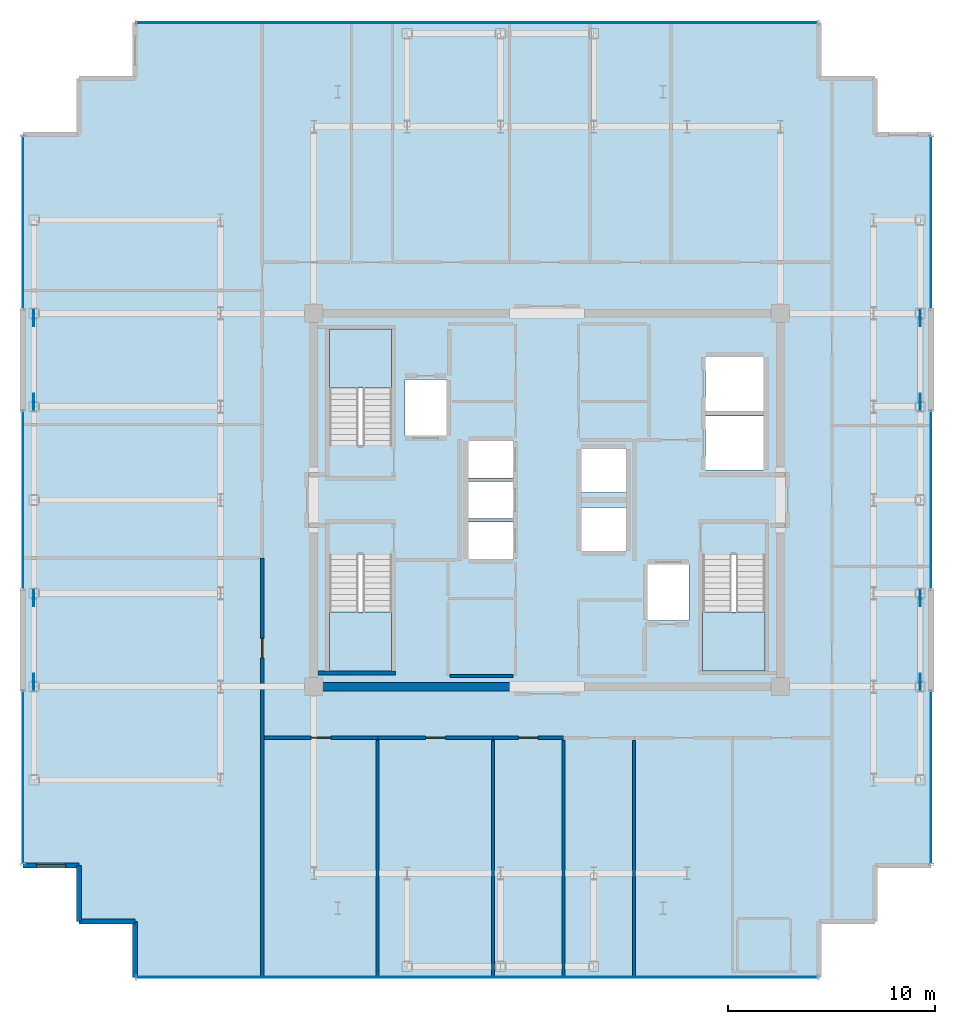
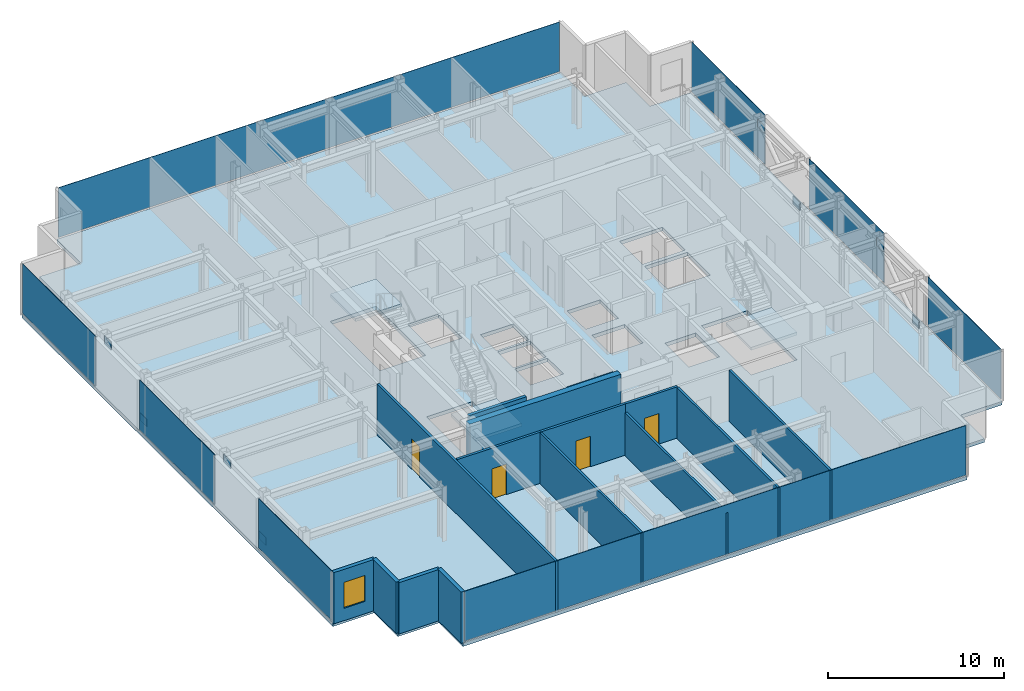
# One storey, part 10 of 16: 16 plates, 15 walls, 4 doors, 4 slabs, 1 window, 5 openings, 11 elements without a shape of their own.
"""IFC4 building model written with IfcOpenShell, lengths in metres."""

from ifc_helpers import new_model, si_unit, direction, frame, frame_2d, origin, origin_2d, place, context, subcontext, project, spatial, polyline, rectangle, outline, extrude, source, transform, mapped, material, layer, layer_set, type_object, element, fill, aggregate, save


model = new_model("IFC4")

# Units and contexts
model_context = context("Model", 3, precision=1e-05, world=origin(), true_north=direction((0.0, 1.0)))
body_context = subcontext(model_context, "Body", "Model", "MODEL_VIEW")
ifc_project = project(units=[si_unit("LENGTHUNIT", "METRE"), si_unit("AREAUNIT", "SQUARE_METRE"), si_unit("VOLUMEUNIT", "CUBIC_METRE"), si_unit("PLANEANGLEUNIT", "RADIAN"), si_unit("MASSUNIT", "GRAM", prefix="KILO")], contexts=[model_context])

# Site, building, storey
site_placement = place(None, origin())
site = spatial("IfcSite", under=ifc_project, at=site_placement, CompositionType="ELEMENT")
building_placement = place(site_placement, origin())
building = spatial("IfcBuilding", under=site, at=building_placement, Name="Nefas-Gora Pilgrimage Tower", CompositionType="ELEMENT")
storey_placement = place(building_placement, frame((0.0, 0.0, 333.800048828125)))
storey = spatial("IfcBuildingStorey", under=building, at=storey_placement, Name="L84", CompositionType="ELEMENT", Elevation=333.800048828125)

# Slab
ifc_material_1 = material(Name="Concrete C40/50", Category="concrete")
ifc_layer_1 = layer(ifc_material_1, 0.25)
ifc_layer_set_1 = layer_set([ifc_layer_1], Name="Concrete C40/50")
slab_type_1 = type_object("IfcSlabType", Name="SLB-TWR-260", PredefinedType="FLOOR", material=ifc_layer_set_1)
slab_1_placement = place(storey_placement, frame((0.0, 0.0, -0.25)))
element("IfcSlab", 1, at=slab_1_placement, inside=storey, type_object=slab_type_1, Name="L84 Structural Floor Slab", PredefinedType="FLOOR", context=body_context, shape_type="SweptSolid", body=[
    extrude(outline(polyline([(18.52001953125, 17.6201171875), (15.820068359375, 17.6201171875), (15.820068359375, 20.320068359375), (13.1201171875, 20.320068359375), (13.1201171875, 23.02001953125), (-19.8701171875, 23.02001953125), (-19.8701171875, 20.320068359375), (-22.570068359375, 20.320068359375), (-22.570068359375, 17.6201171875), (-25.27001953125, 17.6201171875), (-25.27001953125, -17.6201171875), (-22.570068359375, -17.6201171875), (-22.570068359375, -20.320068359375), (-19.8701171875, -20.320068359375), (-19.8701171875, -23.02001953125), (13.1201171875, -23.02001953125), (13.1201171875, -20.320068359375), (15.820068359375, -20.320068359375), (15.820068359375, -17.6201171875), (18.52001953125, -17.6201171875), (18.52001953125, 17.6201171875)]), holes=[polyline([(-10.5, 2.639892578125), (-10.5, 8.25), (-7.5, 8.25), (-7.5, 2.639892578125), (-10.5, 2.639892578125)]), polyline([(10.5, -2.639892578125), (10.5, -8.25), (7.5, -8.25), (7.5, -2.639892578125), (10.5, -2.639892578125)]), polyline([(-7.5, -2.639892578125), (-7.5, -8.25), (-10.5, -8.25), (-10.5, -2.639892578125), (-7.5, -2.639892578125)]), polyline([(-6.85009765625, 5.800048828125), (-4.85009765625, 5.800048828125), (-4.85009765625, 3.10009765625), (-6.85009765625, 3.10009765625), (-6.85009765625, 5.800048828125)]), polyline([(4.85009765625, -3.10009765625), (6.85009765625, -3.10009765625), (6.85009765625, -5.800048828125), (4.85009765625, -5.800048828125), (4.85009765625, -3.10009765625)]), polyline([(7.64990234375, 4.050048828125), (10.449951171875, 4.050048828125), (10.449951171875, 1.449951171875), (7.64990234375, 1.449951171875), (7.64990234375, 4.050048828125)]), polyline([(7.64990234375, 6.89990234375), (10.449951171875, 6.89990234375), (10.449951171875, 4.300048828125), (7.64990234375, 4.300048828125), (7.64990234375, 6.89990234375)]), polyline([(-3.800048828125, -1.050048828125), (-1.64990234375, -1.050048828125), (-1.64990234375, -2.85009765625), (-3.800048828125, -2.85009765625), (-3.800048828125, -1.050048828125)]), polyline([(-3.800048828125, 0.89990234375), (-1.64990234375, 0.89990234375), (-1.64990234375, -0.89990234375), (-3.800048828125, -0.89990234375), (-3.800048828125, 0.89990234375)]), polyline([(-3.800048828125, 2.85009765625), (-1.64990234375, 2.85009765625), (-1.64990234375, 1.050048828125), (-3.800048828125, 1.050048828125), (-3.800048828125, 2.85009765625)]), polyline([(1.64990234375, -0.35009765625), (3.800048828125, -0.35009765625), (3.800048828125, -2.449951171875), (1.64990234375, -2.449951171875), (1.64990234375, -0.35009765625)]), polyline([(1.64990234375, 2.449951171875), (3.800048828125, 2.449951171875), (3.800048828125, 0.35009765625), (1.64990234375, 0.35009765625), (1.64990234375, 2.449951171875)])]), origin(), (0.0, 0.0, 1.0), 0.25),
])

# Stair, slab
ifc_material_2 = material(Name="Concrete C45/55", Category="concrete")
stair_type = type_object("IfcStairType", Name="STR-1400-R1727", PredefinedType="HALF_TURN_STAIR", material=ifc_material_2)
stair_1_placement = place(storey_placement, origin())
stair_1 = element("IfcStair", 2, at=stair_1_placement, inside=storey, type_object=stair_type, Name="L84 Pressurised Tower Exit Stair ST-01", PredefinedType="HALF_TURN_STAIR")
ifc_layer_2 = layer(ifc_material_1, 0.199951171875)
ifc_layer_set_2 = layer_set([ifc_layer_2], Name="Concrete C40/50")
slab_type_2 = type_object("IfcSlabType", Name="STR-LAND-200", PredefinedType="LANDING", material=ifc_layer_set_2)
slab_2_placement = place(storey_placement, frame((0.0, 0.0, 1.699951171875)))
slab_2 = element("IfcSlab", 3, at=slab_2_placement, type_object=slab_type_2, Name="ST-01 landing 1", PredefinedType="LANDING", context=body_context, shape_type="SweptSolid", body=[
    extrude(outline(polyline([(-7.5, 5.39990234375), (-7.5, 8.25), (-10.5, 8.25), (-10.5, 5.39990234375), (-7.5, 5.39990234375)])), origin(), (0.0, 0.0, 1.0), 0.199951171875),
])
aggregate(stair_1, [slab_2])

stair_2_placement = place(storey_placement, origin())
stair_2 = element("IfcStair", 4, at=stair_2_placement, inside=storey, type_object=stair_type, Name="L84 Pressurised Tower Exit Stair ST-02", PredefinedType="HALF_TURN_STAIR")
slab_3_placement = place(storey_placement, frame((0.0, 0.0, 1.699951171875)))
slab_3 = element("IfcSlab", 5, at=slab_3_placement, type_object=slab_type_2, Name="ST-02 landing 1", PredefinedType="LANDING", context=body_context, shape_type="SweptSolid", body=[
    extrude(outline(polyline([(7.5, -5.39990234375), (7.5, -8.25), (10.5, -8.25), (10.5, -5.39990234375), (7.5, -5.39990234375)])), origin(), (0.0, 0.0, 1.0), 0.199951171875),
])
aggregate(stair_2, [slab_3])

stair_3_placement = place(storey_placement, origin())
stair_3 = element("IfcStair", 6, at=stair_3_placement, inside=storey, type_object=stair_type, Name="L84 Pressurised Tower Exit Stair ST-03", PredefinedType="HALF_TURN_STAIR")
slab_4_placement = place(storey_placement, frame((0.0, 0.0, 1.699951171875)))
slab_4 = element("IfcSlab", 7, at=slab_4_placement, type_object=slab_type_2, Name="ST-03 landing 1", PredefinedType="LANDING", context=body_context, shape_type="SweptSolid", body=[
    extrude(outline(polyline([(-10.5, -5.39990234375), (-10.5, -8.25), (-7.5, -8.25), (-7.5, -5.39990234375), (-10.5, -5.39990234375)])), origin(), (0.0, 0.0, 1.0), 0.199951171875),
])
aggregate(stair_3, [slab_4])

# Plates
ifc_material_3 = material(Name="Steel S355", Category="steel")
ifc_layer_3 = layer(ifc_material_3, 0.053955078125)
ifc_layer_set_3 = layer_set([ifc_layer_3], Name="Steel S355")
plate_type_1 = type_object("IfcPlateType", Name="PLT-NODE-N10", PredefinedType="USERDEFINED", material=ifc_layer_set_3)
shared_shape_1 = source(origin(), body_context, "Body", "SweptSolid", [
    extrude(rectangle(XDim=0.780029296875, YDim=0.0380859375, at=origin_2d()), origin(), (0.0, 0.0, 1.0), 0.5400390625),
])
for number, where, z_axis, x_axis, name in (
    (8, (-24.75, -8.761962890625, 0.05029296875), (0.0, 0.0, 1.0), (0.0, 1.0, 0.0), "Structural Node Gusset Plate N10 (L84)"),
    (9, (-24.75, -4.738037109375, 2.9296875), (0.0, 0.0, 1.0), (0.0, 1.0, 0.0), "Structural Node Gusset Plate N10 (L84)"),
    (10, (-24.75, 4.738037109375, 0.05029296875), (0.0, 0.0, 1.0), (0.0, 1.0, 0.0), "Structural Node Gusset Plate N10 (L84)"),
    (11, (-24.75, 8.761962890625, 2.9296875), (0.0, 0.0, 1.0), (0.0, 1.0, 0.0), "Structural Node Gusset Plate N10 (L84)"),
    (12, (18.0, -8.761962890625, 0.05029296875), (0.0, 0.0, 1.0), (0.0, 1.0, 0.0), "Structural Node Gusset Plate N10 (L84)"),
    (13, (18.0, -4.738037109375, 2.9296875), (0.0, 0.0, 1.0), (0.0, 1.0, 0.0), "Structural Node Gusset Plate N10 (L84)"),
    (14, (18.0, 4.738037109375, 0.05029296875), (0.0, 0.0, 1.0), (0.0, 1.0, 0.0), "Structural Node Gusset Plate N10 (L84)"),
    (15, (18.0, 8.761962890625, 2.9296875), (0.0, 0.0, 1.0), (0.0, 1.0, 0.0), "Structural Node Gusset Plate N10 (L84)"),
):
    element("IfcPlate", number, at=place(storey_placement, frame(where, z_axis=z_axis, x_axis=x_axis)), inside=storey, type_object=plate_type_1, Name=name, ObjectType="GUSSET_PLATE", PredefinedType="USERDEFINED", context=body_context, shape_type="MappedRepresentation", body=[
        mapped(shared_shape_1, transform((0.0, 0.0, 0.0), x_axis=(1.0, 0.0, 0.0), y_axis=(0.0, 1.0, 0.0), z_axis=(0.0, 0.0, 1.0), scale=1.0)),
    ])

# Curtain wall, plate
ifc_material_4 = material(Name="Dark ceramic-fritted solar-control aluminium-glass curtain wall", Category="aluminium")
ifc_layer_4 = layer(ifc_material_4, 0.219970703125)
ifc_layer_set_4 = layer_set([ifc_layer_4], Name="Dark ceramic-fritted solar-control aluminium-glass curtain wall")
curtain_wall_type = type_object("IfcCurtainWallType", Name="CW-SYS-4", PredefinedType="NOTDEFINED", material=ifc_layer_set_4)
curtain_wall_1_placement = place(storey_placement, origin())
curtain_wall_1 = element("IfcCurtainWall", 16, at=curtain_wall_1_placement, inside=storey, type_object=curtain_wall_type, Name="L84 Unitised Curtain Wall CW4", PredefinedType="NOTDEFINED")
ifc_material_5 = material(Name="Dark ceramic-printed low-e insulated glass", Category="glass")
ifc_layer_5 = layer(ifc_material_5, 0.030029296875)
ifc_layer_set_5 = layer_set([ifc_layer_5], Name="Dark ceramic-printed low-e insulated glass")
plate_type_2 = type_object("IfcPlateType", Name="CWP-PNL-4", PredefinedType="CURTAIN_PANEL", material=ifc_layer_set_5)
shared_shape_2 = source(origin(), body_context, "Body", "SweptSolid", [
    extrude(rectangle(XDim=8.2900390625, YDim=0.030029296875, at=origin_2d()), origin(), (0.0, 0.0, 1.0), 3.43994140625),
])
plate_1_placement = place(storey_placement, frame((-25.27001953125, 13.385009765625, 0.10009765625), z_axis=(0.0, 0.0, 1.0), x_axis=(0.0, -1.0, 0.0)))
plate_1 = element("IfcPlate", 17, at=plate_1_placement, type_object=plate_type_2, Name="CW4 Ceramic-Fritted Glazing Panel 1", PredefinedType="CURTAIN_PANEL", context=body_context, shape_type="MappedRepresentation", body=[
    mapped(shared_shape_2, transform((0.0, 0.0, 0.0), x_axis=(1.0, 0.0, 0.0), y_axis=(0.0, 1.0, 0.0), z_axis=(0.0, 0.0, 1.0), scale=1.0)),
])
aggregate(curtain_wall_1, [plate_1])

curtain_wall_2_placement = place(storey_placement, origin())
curtain_wall_2 = element("IfcCurtainWall", 18, at=curtain_wall_2_placement, inside=storey, type_object=curtain_wall_type, Name="L84 Unitised Curtain Wall CW4", PredefinedType="NOTDEFINED")
plate_2_placement = place(storey_placement, frame((-25.27001953125, -13.385009765625, 0.10009765625), z_axis=(0.0, 0.0, 1.0), x_axis=(0.0, -1.0, 0.0)))
plate_2 = element("IfcPlate", 19, at=plate_2_placement, type_object=plate_type_2, Name="CW4 Ceramic-Fritted Glazing Panel 1", PredefinedType="CURTAIN_PANEL", context=body_context, shape_type="MappedRepresentation", body=[
    mapped(shared_shape_2, transform((0.0, 0.0, 0.0), x_axis=(1.0, 0.0, 0.0), y_axis=(0.0, 1.0, 0.0), z_axis=(0.0, 0.0, 1.0), scale=1.0)),
])
aggregate(curtain_wall_2, [plate_2])

curtain_wall_3_placement = place(storey_placement, origin())
curtain_wall_3 = element("IfcCurtainWall", 20, at=curtain_wall_3_placement, inside=storey, type_object=curtain_wall_type, Name="L84 Unitised Curtain Wall CW4", PredefinedType="NOTDEFINED")
plate_3_placement = place(storey_placement, frame((18.52001953125, -13.385009765625, 0.10009765625), z_axis=(0.0, 0.0, 1.0), x_axis=(0.0, 1.0, 0.0)))
plate_3 = element("IfcPlate", 21, at=plate_3_placement, type_object=plate_type_2, Name="CW4 Ceramic-Fritted Glazing Panel 1", PredefinedType="CURTAIN_PANEL", context=body_context, shape_type="MappedRepresentation", body=[
    mapped(shared_shape_2, transform((0.0, 0.0, 0.0), x_axis=(1.0, 0.0, 0.0), y_axis=(0.0, 1.0, 0.0), z_axis=(0.0, 0.0, 1.0), scale=1.0)),
])
aggregate(curtain_wall_3, [plate_3])

curtain_wall_4_placement = place(storey_placement, origin())
curtain_wall_4 = element("IfcCurtainWall", 22, at=curtain_wall_4_placement, inside=storey, type_object=curtain_wall_type, Name="L84 Unitised Curtain Wall CW4", PredefinedType="NOTDEFINED")
plate_4_placement = place(storey_placement, frame((18.52001953125, 13.385009765625, 0.10009765625), z_axis=(0.0, 0.0, 1.0), x_axis=(0.0, 1.0, 0.0)))
plate_4 = element("IfcPlate", 23, at=plate_4_placement, type_object=plate_type_2, Name="CW4 Ceramic-Fritted Glazing Panel 1", PredefinedType="CURTAIN_PANEL", context=body_context, shape_type="MappedRepresentation", body=[
    mapped(shared_shape_2, transform((0.0, 0.0, 0.0), x_axis=(1.0, 0.0, 0.0), y_axis=(0.0, 1.0, 0.0), z_axis=(0.0, 0.0, 1.0), scale=1.0)),
])
aggregate(curtain_wall_4, [plate_4])

curtain_wall_5_placement = place(storey_placement, origin())
curtain_wall_5 = element("IfcCurtainWall", 24, at=curtain_wall_5_placement, inside=storey, type_object=curtain_wall_type, Name="L84 Unitised Curtain Wall CW4", PredefinedType="NOTDEFINED")
shared_shape_3 = source(origin(), body_context, "Body", "SweptSolid", [
    extrude(rectangle(XDim=8.52001953125, YDim=0.030029296875, at=origin_2d()), origin(), (0.0, 0.0, 1.0), 3.43994140625),
])
plate_5_placement = place(storey_placement, frame((-25.27001953125, 0.0, 0.10009765625), z_axis=(0.0, 0.0, 1.0), x_axis=(0.0, -1.0, 0.0)))
plate_5 = element("IfcPlate", 25, at=plate_5_placement, type_object=plate_type_2, Name="CW4 Ceramic-Fritted Glazing Panel 1", PredefinedType="CURTAIN_PANEL", context=body_context, shape_type="MappedRepresentation", body=[
    mapped(shared_shape_3, transform((0.0, 0.0, 0.0), x_axis=(1.0, 0.0, 0.0), y_axis=(0.0, 1.0, 0.0), z_axis=(0.0, 0.0, 1.0), scale=1.0)),
])
aggregate(curtain_wall_5, [plate_5])

curtain_wall_6_placement = place(storey_placement, origin())
curtain_wall_6 = element("IfcCurtainWall", 26, at=curtain_wall_6_placement, inside=storey, type_object=curtain_wall_type, Name="L84 Unitised Curtain Wall CW4", PredefinedType="NOTDEFINED")
plate_6_placement = place(storey_placement, frame((18.52001953125, 0.0, 0.10009765625), z_axis=(0.0, 0.0, 1.0), x_axis=(0.0, 1.0, 0.0)))
plate_6 = element("IfcPlate", 27, at=plate_6_placement, type_object=plate_type_2, Name="CW4 Ceramic-Fritted Glazing Panel 1", PredefinedType="CURTAIN_PANEL", context=body_context, shape_type="MappedRepresentation", body=[
    mapped(shared_shape_3, transform((0.0, 0.0, 0.0), x_axis=(1.0, 0.0, 0.0), y_axis=(0.0, 1.0, 0.0), z_axis=(0.0, 0.0, 1.0), scale=1.0)),
])
aggregate(curtain_wall_6, [plate_6])

curtain_wall_7_placement = place(storey_placement, origin())
curtain_wall_7 = element("IfcCurtainWall", 28, at=curtain_wall_7_placement, inside=storey, type_object=curtain_wall_type, Name="L84 Unitised Curtain Wall CW4", PredefinedType="NOTDEFINED")
shared_shape_4 = source(origin(), body_context, "Body", "SweptSolid", [
    extrude(rectangle(XDim=32.81005859375, YDim=0.030029296875, at=origin_2d()), origin(), (0.0, 0.0, 1.0), 3.43994140625),
])
plate_7_placement = place(storey_placement, frame((-3.375, 23.02001953125, 0.10009765625), z_axis=(0.0, 0.0, 1.0), x_axis=(-1.0, 0.0, 0.0)))
plate_7 = element("IfcPlate", 29, at=plate_7_placement, type_object=plate_type_2, Name="CW4 Ceramic-Fritted Glazing Panel 1", PredefinedType="CURTAIN_PANEL", context=body_context, shape_type="MappedRepresentation", body=[
    mapped(shared_shape_4, transform((0.0, 0.0, 0.0), x_axis=(1.0, 0.0, 0.0), y_axis=(0.0, 1.0, 0.0), z_axis=(0.0, 0.0, 1.0), scale=1.0)),
])
aggregate(curtain_wall_7, [plate_7])

curtain_wall_8_placement = place(storey_placement, origin())
curtain_wall_8 = element("IfcCurtainWall", 30, at=curtain_wall_8_placement, inside=storey, type_object=curtain_wall_type, Name="L84 Unitised Curtain Wall CW4", PredefinedType="NOTDEFINED")
plate_8_placement = place(storey_placement, frame((-3.375, -23.02001953125, 0.10009765625), z_axis=(0.0, 0.0, 1.0), x_axis=(1.0, 0.0, 0.0)))
plate_8 = element("IfcPlate", 31, at=plate_8_placement, type_object=plate_type_2, Name="CW4 Ceramic-Fritted Glazing Panel 1", PredefinedType="CURTAIN_PANEL", context=body_context, shape_type="MappedRepresentation", body=[
    mapped(shared_shape_4, transform((0.0, 0.0, 0.0), x_axis=(1.0, 0.0, 0.0), y_axis=(0.0, 1.0, 0.0), z_axis=(0.0, 0.0, 1.0), scale=1.0)),
])
aggregate(curtain_wall_8, [plate_8])

# Wall
ifc_material_6 = material(Name="Concrete C50/60", Category="concrete")
ifc_layer_6 = layer(ifc_material_6, 0.39990234375)
ifc_layer_set_6 = layer_set([ifc_layer_6], Name="Concrete C50/60")
wall_type_1 = type_object("IfcWallType", Name="SW-CORE-400", PredefinedType="SHEAR", material=ifc_layer_set_6)
shared_shape_5 = source(origin(), body_context, "Body", "SweptSolid", [
    extrude(rectangle(XDim=9.89990234375, YDim=0.39990234375, at=frame_2d((4.949951171875, 0.0))), origin(), (0.0, 0.0, 1.0), 3.800048828125),
])
wall_1_placement = place(storey_placement, frame((-11.449951171875, -9.0, 0.0), z_axis=(0.0, 0.0, 1.0), x_axis=(1.0, 0.0, 0.0)))
element("IfcWall", 32, at=wall_1_placement, inside=storey, type_object=wall_type_1, Name="L84 Core Shear Wall S-West", PredefinedType="SHEAR", context=body_context, shape_type="MappedRepresentation", body=[
    mapped(shared_shape_5, transform((0.0, 0.0, 0.0), x_axis=(1.0, 0.0, 0.0), y_axis=(0.0, 1.0, 0.0), z_axis=(0.0, 0.0, 1.0), scale=1.0)),
])

# Wall, opening, window
ifc_material_7 = material(Name="Precast concrete C45/55", Category="concrete")
ifc_layer_7 = layer(ifc_material_7, 0.239990234375)
ifc_layer_set_7 = layer_set([ifc_layer_7], Name="Precast concrete C45/55")
wall_type_2 = type_object("IfcWallType", Name="EW-SERR-240", PredefinedType="SHEAR", material=ifc_layer_set_7)
shared_shape_6 = source(origin(), body_context, "Body", "SweptSolid", [
    extrude(rectangle(XDim=2.699951171875, YDim=0.239990234375, at=frame_2d((1.35009765625, 0.0))), origin(), (0.0, 0.0, 1.0), 3.550048828125),
])
wall_2_placement = place(storey_placement, frame((-25.27001953125, -17.6201171875, 0.0), z_axis=(0.0, 0.0, 1.0), x_axis=(1.0, 0.0, 0.0)))
wall_2 = element("IfcWall", 33, at=wall_2_placement, inside=storey, type_object=wall_type_2, Name="L84 Serrated Corner Shear Pier Wall 13", PredefinedType="SHEAR", context=body_context, shape_type="MappedRepresentation", body=[
    mapped(shared_shape_6, transform((0.0, 0.0, 0.0), x_axis=(1.0, 0.0, 0.0), y_axis=(0.0, 1.0, 0.0), z_axis=(0.0, 0.0, 1.0), scale=1.0)),
])
opening_1_placement = place(wall_2_placement, frame((0.64990234375, 0.0, 0.85009765625)))
opening_1 = element("IfcOpeningElement", 34, at=opening_1_placement, cuts=wall_2, Name="Opening W-V2", PredefinedType="OPENING", context=body_context, shape_type="SweptSolid", body=[
    extrude(rectangle(XDim=1.39990234375, YDim=1.800048828125, at=frame_2d((0.699951171875, 0.89990234375))), frame((0.0, 0.1298828125, 0.0), z_axis=(0.0, -1.0, 0.0), x_axis=(1.0, 0.0, 0.0)), (0.0, 0.0, 1.0), 0.260009765625),
])
ifc_material_8 = material(Name="Dark ceramic-fritted operable aluminium-glass window", Category="aluminium")
window_type = type_object("IfcWindowType", Name="WIN-VENT-1400x1800", PartitioningType="SINGLE_PANEL", PredefinedType="WINDOW", material=ifc_material_8)
shared_shape_7 = source(origin(), body_context, "Body", "SweptSolid", [
    extrude(rectangle(XDim=1.39990234375, YDim=1.800048828125, at=frame_2d((0.699951171875, 0.89990234375))), frame((0.0, 0.030029296875, 0.0), z_axis=(0.0, -1.0, 0.0), x_axis=(1.0, 0.0, 0.0)), (0.0, 0.0, 1.0), 0.06005859375),
])
window_placement = place(opening_1_placement, origin())
window = element("IfcWindow", 35, at=window_placement, inside=storey, type_object=window_type, Name="L84 Operable Parallel-Outswing Window 13", OverallHeight=1.800048828125, OverallWidth=1.39990234375, PartitioningType="SINGLE_PANEL", PredefinedType="WINDOW", context=body_context, shape_type="MappedRepresentation", body=[
    mapped(shared_shape_7, transform((0.0, 0.0, 0.0), x_axis=(1.0, 0.0, 0.0), y_axis=(0.0, 1.0, 0.0), z_axis=(0.0, 0.0, 1.0), scale=1.0)),
])
fill(opening_1, window)

# Walls
for number, where, z_axis, x_axis, name in (
    (36, (-22.570068359375, -17.6201171875, 0.0), (0.0, 0.0, 1.0), (0.0, -1.0, 0.0), "L84 Serrated Corner Shear Pier Wall 14"),
    (37, (-22.570068359375, -20.320068359375, 0.0), (0.0, 0.0, 1.0), (1.0, 0.0, 0.0), "L84 Serrated Corner Shear Pier Wall 15"),
    (38, (-19.8701171875, -20.320068359375, 0.0), (0.0, 0.0, 1.0), (0.0, -1.0, 0.0), "L84 Serrated Corner Shear Pier Wall 16"),
):
    element("IfcWall", number, at=place(storey_placement, frame(where, z_axis=z_axis, x_axis=x_axis)), inside=storey, type_object=wall_type_2, Name=name, PredefinedType="SHEAR", context=body_context, shape_type="MappedRepresentation", body=[
        mapped(shared_shape_6, transform((0.0, 0.0, 0.0), x_axis=(1.0, 0.0, 0.0), y_axis=(0.0, 1.0, 0.0), z_axis=(0.0, 0.0, 1.0), scale=1.0)),
    ])
ifc_layer_8 = layer(ifc_material_2, 0.199951171875)
ifc_layer_set_8 = layer_set([ifc_layer_8], Name="Concrete C45/55")
wall_type_3 = type_object("IfcWallType", Name="IW-STAIR-200", PredefinedType="SOLIDWALL", material=ifc_layer_set_8)
shared_shape_8 = source(origin(), body_context, "Body", "SweptSolid", [
    extrude(rectangle(XDim=3.7548828125, YDim=0.199951171875, at=frame_2d((1.87744140625, 0.0))), origin(), (0.0, 0.0, 1.0), 3.800048828125),
])
wall_3_placement = place(storey_placement, frame((-11.054931640625, -8.35009765625, 0.0), z_axis=(0.0, 0.0, 1.0), x_axis=(1.0, 0.0, 0.0)))
element("IfcWall", 39, at=wall_3_placement, inside=storey, type_object=wall_type_3, Name="L84 Stairwell Shear Wall ST-03-far", PredefinedType="SOLIDWALL", context=body_context, shape_type="MappedRepresentation", body=[
    mapped(shared_shape_8, transform((0.0, 0.0, 0.0), x_axis=(1.0, 0.0, 0.0), y_axis=(0.0, 1.0, 0.0), z_axis=(0.0, 0.0, 1.0), scale=1.0)),
])

# Wall, opening, door
ifc_material_9 = material(Name="Gypsum acoustic stud partition")
ifc_layer_9 = layer(ifc_material_9, 0.159912109375)
ifc_layer_set_9 = layer_set([ifc_layer_9], Name="Gypsum acoustic stud partition")
wall_type_4 = type_object("IfcWallType", Name="IW-CORR-160", PredefinedType="PARTITIONING", material=ifc_layer_set_9)
shared_shape_9 = source(origin(), body_context, "Body", "SweptSolid", [
    extrude(rectangle(XDim=3.405029296875, YDim=0.159912109375, at=frame_2d((1.70263671875, 0.0))), origin(), (0.0, 0.0, 1.0), 3.534912109375),
])
wall_4_placement = place(storey_placement, frame((-2.60498046875, -11.469970703125, 0.0), z_axis=(0.0, 0.0, 1.0), x_axis=(1.0, 0.0, 0.0)))
wall_4 = element("IfcWall", 40, at=wall_4_placement, inside=storey, type_object=wall_type_4, Name="L84 Pilgrim Contemplative Lounge Partition Wall 67", PredefinedType="PARTITIONING", context=body_context, shape_type="MappedRepresentation", body=[
    mapped(shared_shape_9, transform((0.0, 0.0, 0.0), x_axis=(1.0, 0.0, 0.0), y_axis=(0.0, 1.0, 0.0), z_axis=(0.0, 0.0, 1.0), scale=1.0)),
])
opening_2_placement = place(wall_4_placement, frame((1.2275390625, 0.0, 0.0)))
opening_2 = element("IfcOpeningElement", 41, at=opening_2_placement, cuts=wall_4, Name="Opening ID-GR1", PredefinedType="OPENING", context=body_context, shape_type="SweptSolid", body=[
    extrude(rectangle(XDim=0.949951171875, YDim=2.10009765625, at=frame_2d((0.47509765625, 1.050048828125))), frame((0.0, 0.08984375, 0.0), z_axis=(0.0, -1.0, 0.0), x_axis=(1.0, 0.0, 0.0)), (0.0, 0.0, 1.0), 0.179931640625),
])
ifc_material_10 = material(Name="Solid core oak fire-rated guest entrance door")
door_type = type_object("IfcDoorType", Name="DR-INT-GUEST-950", OperationType="NOTDEFINED", PredefinedType="DOOR", material=ifc_material_10)
shared_shape_10 = source(origin(), body_context, "Body", "SweptSolid", [
    extrude(rectangle(XDim=0.949951171875, YDim=2.10009765625, at=frame_2d((0.47509765625, 1.050048828125))), frame((0.0, 0.02490234375, 0.0), z_axis=(0.0, -1.0, 0.0), x_axis=(1.0, 0.0, 0.0)), (0.0, 0.0, 1.0), 0.050048828125),
])
door_1_placement = place(opening_2_placement, origin())
door_1 = element("IfcDoor", 42, at=door_1_placement, inside=storey, type_object=door_type, Name="L84 Pilgrim Contemplative Lounge Door 31", OperationType="SINGLE_SWING_LEFT", OverallHeight=2.10009765625, OverallWidth=0.949951171875, PredefinedType="DOOR", context=body_context, shape_type="MappedRepresentation", body=[
    mapped(shared_shape_10, transform((0.0, 0.0, 0.0), x_axis=(1.0, 0.0, 0.0), y_axis=(0.0, 1.0, 0.0), z_axis=(0.0, 0.0, 1.0), scale=1.0)),
])
fill(opening_2, door_1)

shared_shape_11 = source(origin(), body_context, "Body", "SweptSolid", [
    extrude(rectangle(XDim=5.460205078125, YDim=0.159912109375, at=frame_2d((2.72998046875, 0.0))), origin(), (0.0, 0.0, 1.0), 3.534912109375),
])
wall_5_placement = place(storey_placement, frame((-13.6201171875, -11.469970703125, 0.0), z_axis=(0.0, 0.0, 1.0), x_axis=(1.0, 0.0, 0.0)))
wall_5 = element("IfcWall", 43, at=wall_5_placement, inside=storey, type_object=wall_type_4, Name="L84 Pilgrim Contemplative Lounge Partition Wall 63", PredefinedType="PARTITIONING", context=body_context, shape_type="MappedRepresentation", body=[
    mapped(shared_shape_11, transform((0.0, 0.0, 0.0), x_axis=(1.0, 0.0, 0.0), y_axis=(0.0, 1.0, 0.0), z_axis=(0.0, 0.0, 1.0), scale=1.0)),
])
opening_3_placement = place(wall_5_placement, frame((2.2548828125, 0.0, 0.0)))
opening_3 = element("IfcOpeningElement", 44, at=opening_3_placement, cuts=wall_5, Name="Opening ID-GR1", PredefinedType="OPENING", context=body_context, shape_type="SweptSolid", body=[
    extrude(rectangle(XDim=0.949951171875, YDim=2.10009765625, at=frame_2d((0.47509765625, 1.050048828125))), frame((0.0, 0.08984375, 0.0), z_axis=(0.0, -1.0, 0.0), x_axis=(1.0, 0.0, 0.0)), (0.0, 0.0, 1.0), 0.179931640625),
])
door_2_placement = place(opening_3_placement, origin())
door_2 = element("IfcDoor", 45, at=door_2_placement, inside=storey, type_object=door_type, Name="L84 Pilgrim Contemplative Lounge Door 29", OperationType="SINGLE_SWING_LEFT", OverallHeight=2.10009765625, OverallWidth=0.949951171875, PredefinedType="DOOR", context=body_context, shape_type="MappedRepresentation", body=[
    mapped(shared_shape_10, transform((0.0, 0.0, 0.0), x_axis=(1.0, 0.0, 0.0), y_axis=(0.0, 1.0, 0.0), z_axis=(0.0, 0.0, 1.0), scale=1.0)),
])
fill(opening_3, door_2)

shared_shape_12 = source(origin(), body_context, "Body", "SweptSolid", [
    extrude(rectangle(XDim=5.56494140625, YDim=0.159912109375, at=frame_2d((2.782470703125, 0.0))), origin(), (0.0, 0.0, 1.0), 3.534912109375),
])
wall_6_placement = place(storey_placement, frame((-8.159912109375, -11.469970703125, 0.0), z_axis=(0.0, 0.0, 1.0), x_axis=(1.0, 0.0, 0.0)))
wall_6 = element("IfcWall", 46, at=wall_6_placement, inside=storey, type_object=wall_type_4, Name="L84 Pilgrim Contemplative Lounge Partition Wall 65", PredefinedType="PARTITIONING", context=body_context, shape_type="MappedRepresentation", body=[
    mapped(shared_shape_12, transform((0.0, 0.0, 0.0), x_axis=(1.0, 0.0, 0.0), y_axis=(0.0, 1.0, 0.0), z_axis=(0.0, 0.0, 1.0), scale=1.0)),
])
opening_4_placement = place(wall_6_placement, frame((2.3076171875, 0.0, 0.0)))
opening_4 = element("IfcOpeningElement", 47, at=opening_4_placement, cuts=wall_6, Name="Opening ID-GR1", PredefinedType="OPENING", context=body_context, shape_type="SweptSolid", body=[
    extrude(rectangle(XDim=0.949951171875, YDim=2.10009765625, at=frame_2d((0.47509765625, 1.050048828125))), frame((0.0, 0.08984375, 0.0), z_axis=(0.0, -1.0, 0.0), x_axis=(1.0, 0.0, 0.0)), (0.0, 0.0, 1.0), 0.179931640625),
])
door_3_placement = place(opening_4_placement, origin())
door_3 = element("IfcDoor", 48, at=door_3_placement, inside=storey, type_object=door_type, Name="L84 Pilgrim Contemplative Lounge Door 30", OperationType="SINGLE_SWING_RIGHT", OverallHeight=2.10009765625, OverallWidth=0.949951171875, PredefinedType="DOOR", context=body_context, shape_type="MappedRepresentation", body=[
    mapped(shared_shape_10, transform((0.0, 0.0, 0.0), x_axis=(1.0, 0.0, 0.0), y_axis=(0.0, 1.0, 0.0), z_axis=(0.0, 0.0, 1.0), scale=1.0)),
])
fill(opening_4, door_3)

# Walls
ifc_material_11 = material(Name="Gypsum twin-stud partition")
ifc_layer_10 = layer(ifc_material_11, 0.139892578125)
ifc_layer_set_10 = layer_set([ifc_layer_10], Name="Gypsum twin-stud partition")
wall_type_5 = type_object("IfcWallType", Name="IW-UNIT-140", PredefinedType="PARTITIONING", material=ifc_layer_set_10)
shared_shape_13 = source(origin(), body_context, "Body", "SweptSolid", [
    extrude(rectangle(XDim=11.449951171875, YDim=0.139892578125, at=frame_2d((5.72509765625, 0.0))), origin(), (0.0, 0.0, 1.0), 3.534912109375),
])
for number, where, z_axis, x_axis, name in (
    (49, (-8.169921875, -23.0400390625, 0.0), (0.0, 0.0, 1.0), (0.0, 1.0, 0.0), "L84 Pilgrim Contemplative Lounge Partition Wall 64"),
    (50, (0.7900390625, -23.0400390625, 0.0), (0.0, 0.0, 1.0), (0.0, 1.0, 0.0), "L84 Pilgrim Contemplative Lounge Partition Wall 68"),
    (51, (4.195068359375, -23.0400390625, 0.0), (0.0, 0.0, 1.0), (0.0, 1.0, 0.0), "L84 Pilgrim Contemplative Lounge Partition Wall 70"),
):
    element("IfcWall", number, at=place(storey_placement, frame(where, z_axis=z_axis, x_axis=x_axis)), inside=storey, type_object=wall_type_5, Name=name, PredefinedType="PARTITIONING", context=body_context, shape_type="MappedRepresentation", body=[
        mapped(shared_shape_13, transform((0.0, 0.0, 0.0), x_axis=(1.0, 0.0, 0.0), y_axis=(0.0, 1.0, 0.0), z_axis=(0.0, 0.0, 1.0), scale=1.0)),
    ])
shared_shape_14 = source(origin(), body_context, "Body", "SweptSolid", [
    extrude(rectangle(XDim=3.030029296875, YDim=0.139892578125, at=frame_2d((1.51513671875, 0.0))), origin(), (0.0, 0.0, 1.0), 3.534912109375),
])
wall_7_placement = place(storey_placement, frame((-4.669921875, -8.47998046875, 0.0), z_axis=(0.0, 0.0, 1.0), x_axis=(1.0, 0.0, 0.0)))
element("IfcWall", 52, at=wall_7_placement, inside=storey, type_object=wall_type_5, Name="L84 High-Rise Linen Store Partition Wall 36", PredefinedType="PARTITIONING", context=body_context, shape_type="MappedRepresentation", body=[
    mapped(shared_shape_14, transform((0.0, 0.0, 0.0), x_axis=(1.0, 0.0, 0.0), y_axis=(0.0, 1.0, 0.0), z_axis=(0.0, 0.0, 1.0), scale=1.0)),
])
shared_shape_15 = source(origin(), body_context, "Body", "SweptSolid", [
    extrude(rectangle(XDim=11.449951171875, YDim=0.139892578125, at=frame_2d((5.72509765625, 0.0))), origin(), (0.0, 0.0, 1.0), 2.974853515625),
])
wall_8_placement = place(storey_placement, frame((-2.60498046875, -23.0400390625, 0.0), z_axis=(0.0, 0.0, 1.0), x_axis=(0.0, 1.0, 0.0)))
element("IfcWall", 53, at=wall_8_placement, inside=storey, type_object=wall_type_5, Name="L84 Pilgrim Contemplative Lounge Partition Wall 66", PredefinedType="PARTITIONING", context=body_context, shape_type="MappedRepresentation", body=[
    mapped(shared_shape_15, transform((0.0, 0.0, 0.0), x_axis=(1.0, 0.0, 0.0), y_axis=(0.0, 1.0, 0.0), z_axis=(0.0, 0.0, 1.0), scale=1.0)),
])

# Wall, opening, door
shared_shape_16 = source(origin(), body_context, "Body", "SweptSolid", [
    extrude(rectangle(XDim=20.2451171875, YDim=0.159912109375, at=frame_2d((10.12255859375, 0.0))), origin(), (0.0, 0.0, 1.0), 3.534912109375),
])
wall_9_placement = place(storey_placement, frame((-13.739990234375, -23.0400390625, 0.0), z_axis=(0.0, 0.0, 1.0), x_axis=(0.0, 1.0, 0.0)))
wall_9 = element("IfcWall", 54, at=wall_9_placement, inside=storey, type_object=wall_type_4, Name="L84 Pilgrim Floor Concierge Foyer Partition Wall 43", PredefinedType="PARTITIONING", context=body_context, shape_type="MappedRepresentation", body=[
    mapped(shared_shape_16, transform((0.0, 0.0, 0.0), x_axis=(1.0, 0.0, 0.0), y_axis=(0.0, 1.0, 0.0), z_axis=(0.0, 0.0, 1.0), scale=1.0)),
])
opening_5_placement = place(wall_9_placement, frame((15.41259765625, 0.0, 0.0)))
opening_5 = element("IfcOpeningElement", 55, at=opening_5_placement, cuts=wall_9, Name="Opening ID-GR1", PredefinedType="OPENING", context=body_context, shape_type="SweptSolid", body=[
    extrude(rectangle(XDim=0.949951171875, YDim=2.10009765625, at=frame_2d((0.47509765625, 1.050048828125))), frame((0.0, 0.08984375, 0.0), z_axis=(0.0, -1.0, 0.0), x_axis=(1.0, 0.0, 0.0)), (0.0, 0.0, 1.0), 0.179931640625),
])
door_4_placement = place(opening_5_placement, origin())
door_4 = element("IfcDoor", 56, at=door_4_placement, inside=storey, type_object=door_type, Name="L84 Pilgrim Floor Concierge Foyer Door 17", OperationType="SINGLE_SWING_LEFT", OverallHeight=2.10009765625, OverallWidth=0.949951171875, PredefinedType="DOOR", context=body_context, shape_type="MappedRepresentation", body=[
    mapped(shared_shape_10, transform((0.0, 0.0, 0.0), x_axis=(1.0, 0.0, 0.0), y_axis=(0.0, 1.0, 0.0), z_axis=(0.0, 0.0, 1.0), scale=1.0)),
])
fill(opening_5, door_4)

save(model, "model.ifc")
